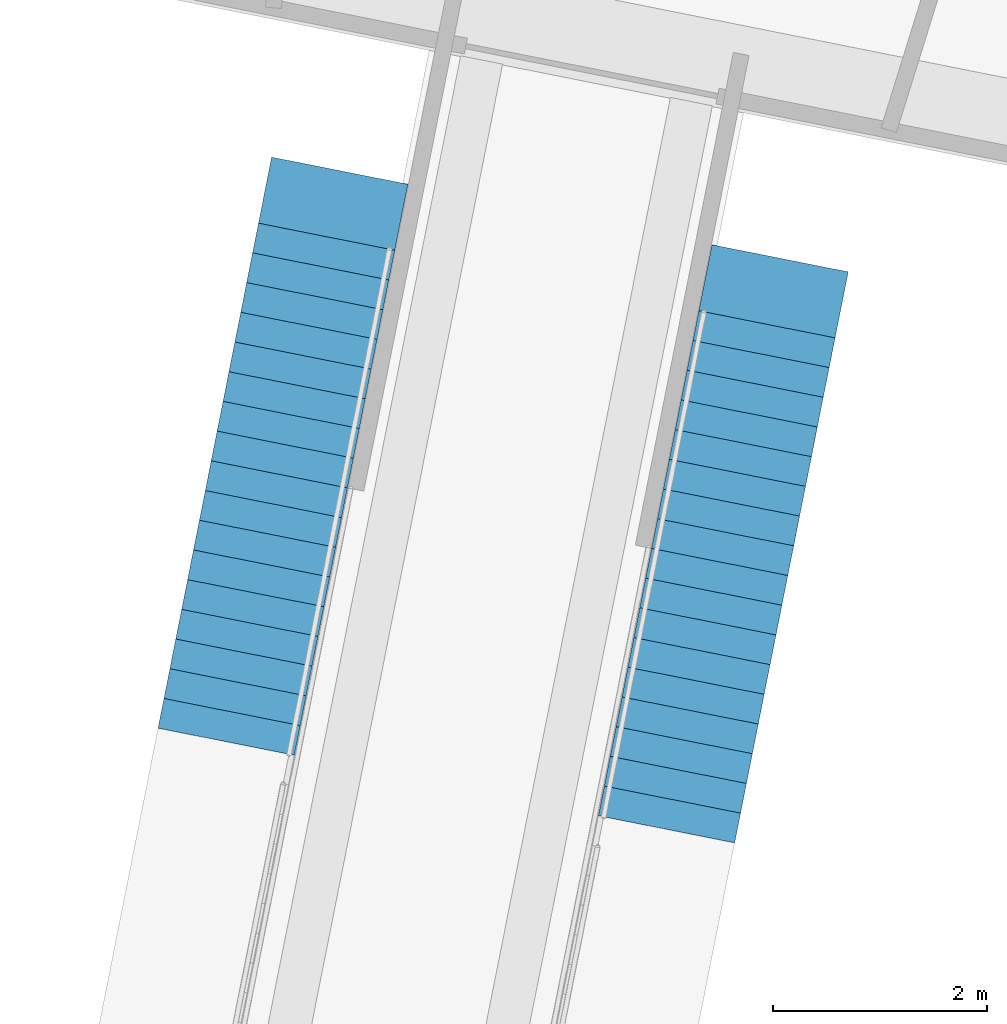
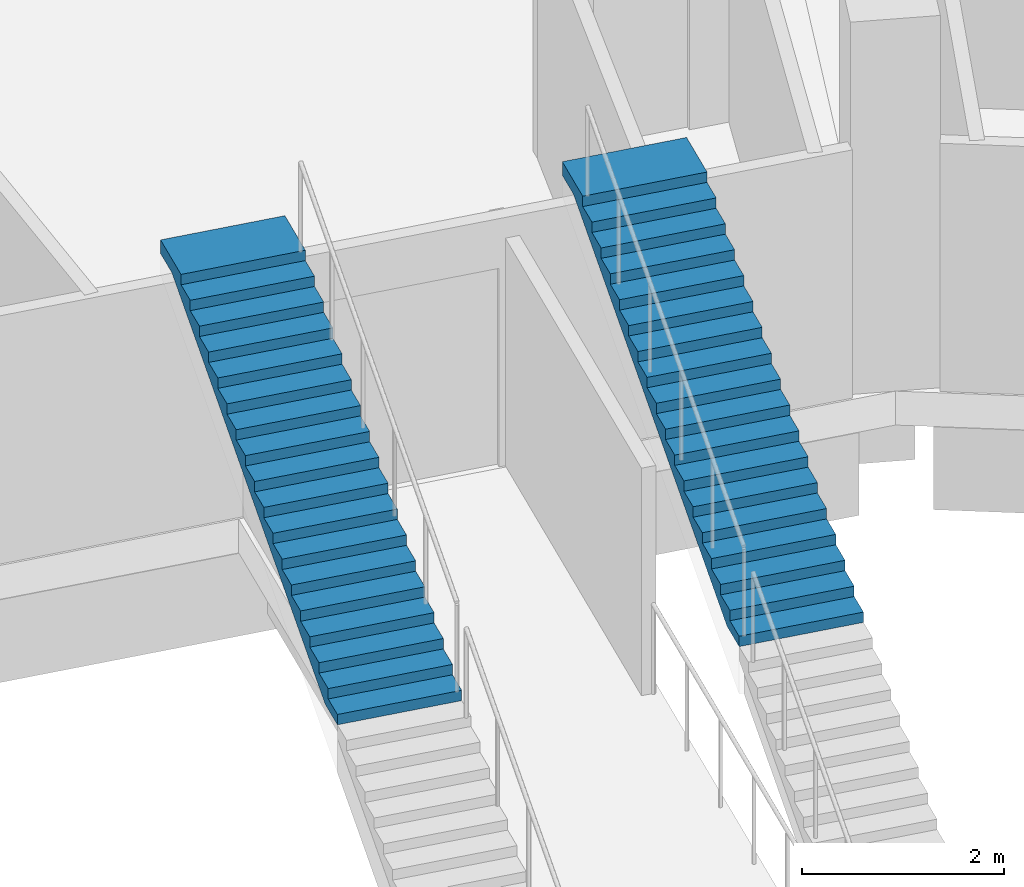
# One storey, part 127 of 175: 2 stair flights, 2 elements without a shape of their own.
"""IFC4 building model written with IfcOpenShell, lengths in metres."""

from ifc_helpers import new_model, si_unit, direction, frame, origin, place, context, subcontext, project, spatial, faceted_brep, material, type_object, element, aggregate, save


model = new_model("IFC4")

# Units and contexts
model_context = context("Model", 3, precision=1e-05, world=origin(), true_north=direction((0.0, 1.0)))
body_context = subcontext(model_context, "Body", "Model", "MODEL_VIEW")
ifc_project = project(units=[si_unit("LENGTHUNIT", "METRE"), si_unit("AREAUNIT", "SQUARE_METRE"), si_unit("VOLUMEUNIT", "CUBIC_METRE"), si_unit("PLANEANGLEUNIT", "RADIAN"), si_unit("MASSUNIT", "GRAM", prefix="KILO")], contexts=[model_context])

# Site, building, storey
site_placement = place(None, origin())
site = spatial("IfcSite", under=ifc_project, at=site_placement, CompositionType="ELEMENT")
building_placement = place(site_placement, origin())
building = spatial("IfcBuilding", under=site, at=building_placement, Name="Ogive Plaza Stadium", CompositionType="ELEMENT")
storey_placement = place(building_placement, origin())
storey = spatial("IfcBuildingStorey", under=building, at=storey_placement, Name="L00", CompositionType="ELEMENT", Elevation=0.0)

# Stair, stair flight
ifc_material_1 = material(Name="Concrete C40/50", Category="concrete")
stair_type = type_object("IfcStairType", Name="Aisle stair", PredefinedType="STRAIGHT_RUN_STAIR", material=ifc_material_1)
stair_1_placement = place(storey_placement, origin())
stair_1 = element("IfcStair", 1, at=stair_1_placement, inside=storey, type_object=stair_type, Name="Aisle stair SA37L", PredefinedType="STRAIGHT_RUN_STAIR")
ifc_material_2 = material(Name="Concrete C40/50", Category="concrete")
stair_flight_type = type_object("IfcStairFlightType", Name="Aisle stair flight", PredefinedType="STRAIGHT", material=ifc_material_2)
stair_flight_1_placement = place(storey_placement, frame((40.01025390625, 71.951171875, 2.25), z_axis=(0.0, 0.0, 1.0), x_axis=(0.195090322016, 0.980785280403, 0.0)))
stair_flight_1 = element("IfcStairFlight", 2, at=stair_flight_1_placement, type_object=stair_flight_type, Name="SA37L flight 2", NumberOfRisers=18, NumberOfTreads=17, PredefinedType="STRAIGHT", RiserHeight=0.125, TreadLength=0.283333333, context=body_context, shape_type="Brep", body=[
    faceted_brep([(0.371337890625, -0.64990234375, 0.0), (5.10009765625, -0.64990234375, 2.086181640625), (5.446533203125, -0.64990234375, 2.086181640625), (5.446533203125, -0.64990234375, 2.25), (4.816650390625, -0.64990234375, 2.25), (4.816650390625, -0.64990234375, 2.125), (4.533447265625, -0.64990234375, 2.125), (4.533447265625, -0.64990234375, 2.0), (4.25, -0.64990234375, 2.0), (4.25, -0.64990234375, 1.875), (3.966552734375, -0.64990234375, 1.875), (3.966552734375, -0.64990234375, 1.75), (3.683349609375, -0.64990234375, 1.75), (3.683349609375, -0.64990234375, 1.625), (3.39990234375, -0.64990234375, 1.625), (3.39990234375, -0.64990234375, 1.5), (3.11669921875, -0.64990234375, 1.5), (3.11669921875, -0.64990234375, 1.375), (2.833251953125, -0.64990234375, 1.375), (2.833251953125, -0.64990234375, 1.25), (2.550048828125, -0.64990234375, 1.25), (2.550048828125, -0.64990234375, 1.125), (2.2666015625, -0.64990234375, 1.125), (2.2666015625, -0.64990234375, 1.0), (1.9833984375, -0.64990234375, 1.0), (1.9833984375, -0.64990234375, 0.875), (1.699951171875, -0.64990234375, 0.875), (1.699951171875, -0.64990234375, 0.75), (1.416748046875, -0.64990234375, 0.75), (1.416748046875, -0.64990234375, 0.625), (1.13330078125, -0.64990234375, 0.625), (1.13330078125, -0.64990234375, 0.5), (0.85009765625, -0.64990234375, 0.5), (0.85009765625, -0.64990234375, 0.375), (0.566650390625, -0.64990234375, 0.375), (0.566650390625, -0.64990234375, 0.25), (0.283447265625, -0.64990234375, 0.25), (0.283447265625, -0.64990234375, 0.125), (0.0, -0.64990234375, 0.125), (0.0, -0.64990234375, 0.0), (0.0, 0.64990234375, 0.0), (0.0, 0.64990234375, 0.125), (0.283447265625, 0.64990234375, 0.125), (0.283447265625, 0.64990234375, 0.25), (0.566650390625, 0.64990234375, 0.25), (0.566650390625, 0.64990234375, 0.375), (0.85009765625, 0.64990234375, 0.375), (0.85009765625, 0.64990234375, 0.5), (1.13330078125, 0.64990234375, 0.5), (1.13330078125, 0.64990234375, 0.625), (1.416748046875, 0.64990234375, 0.625), (1.416748046875, 0.64990234375, 0.75), (1.699951171875, 0.64990234375, 0.75), (1.699951171875, 0.64990234375, 0.875), (1.9833984375, 0.64990234375, 0.875), (1.9833984375, 0.64990234375, 1.0), (2.2666015625, 0.64990234375, 1.0), (2.2666015625, 0.64990234375, 1.125), (2.550048828125, 0.64990234375, 1.125), (2.550048828125, 0.64990234375, 1.25), (2.833251953125, 0.64990234375, 1.25), (2.833251953125, 0.64990234375, 1.375), (3.11669921875, 0.64990234375, 1.375), (3.11669921875, 0.64990234375, 1.5), (3.39990234375, 0.64990234375, 1.5), (3.39990234375, 0.64990234375, 1.625), (3.683349609375, 0.64990234375, 1.625), (3.683349609375, 0.64990234375, 1.75), (3.966552734375, 0.64990234375, 1.75), (3.966552734375, 0.64990234375, 1.875), (4.25, 0.64990234375, 1.875), (4.25, 0.64990234375, 2.0), (4.533447265625, 0.64990234375, 2.0), (4.533447265625, 0.64990234375, 2.125), (4.816650390625, 0.64990234375, 2.125), (4.816650390625, 0.64990234375, 2.25), (5.446533203125, 0.64990234375, 2.25), (5.446533203125, 0.64990234375, 2.086181640625), (5.10009765625, 0.64990234375, 2.086181640625), (0.371337890625, 0.64990234375, 0.0), (0.371337890625, -0.324951171875, 0.0), (5.10009765625, -0.324951171875, 2.086181640625), (0.371337890625, 0.0, 0.0), (5.10009765625, 0.0, 2.086181640625), (0.371337890625, 0.324951171875, 0.0), (5.10009765625, 0.324951171875, 2.086181640625), (5.446533203125, -0.324951171875, 2.086181640625), (5.446533203125, 0.0, 2.086181640625), (5.446533203125, 0.324951171875, 2.086181640625), (5.446533203125, -0.324951171875, 2.25), (5.446533203125, 0.0, 2.25), (5.446533203125, 0.324951171875, 2.25), (4.816650390625, -0.324951171875, 2.25), (4.816650390625, 0.0, 2.25), (4.816650390625, 0.324951171875, 2.25), (4.816650390625, -0.324951171875, 2.125), (4.816650390625, 0.0, 2.125), (4.816650390625, 0.324951171875, 2.125), (4.533447265625, -0.324951171875, 2.125), (4.533447265625, 0.0, 2.125), (4.533447265625, 0.324951171875, 2.125), (4.533447265625, -0.324951171875, 2.0), (4.533447265625, 0.0, 2.0), (4.533447265625, 0.324951171875, 2.0), (4.25, -0.324951171875, 2.0), (4.25, 0.0, 2.0), (4.25, 0.324951171875, 2.0), (4.25, -0.324951171875, 1.875), (4.25, 0.0, 1.875), (4.25, 0.324951171875, 1.875), (3.966552734375, -0.324951171875, 1.875), (3.966552734375, 0.0, 1.875), (3.966552734375, 0.324951171875, 1.875), (3.966552734375, -0.324951171875, 1.75), (3.966552734375, 0.0, 1.75), (3.966552734375, 0.324951171875, 1.75), (3.683349609375, -0.324951171875, 1.75), (3.683349609375, 0.0, 1.75), (3.683349609375, 0.324951171875, 1.75), (3.683349609375, -0.324951171875, 1.625), (3.683349609375, 0.0, 1.625), (3.683349609375, 0.324951171875, 1.625), (3.39990234375, -0.324951171875, 1.625), (3.39990234375, 0.0, 1.625), (3.39990234375, 0.324951171875, 1.625), (3.39990234375, -0.324951171875, 1.5), (3.39990234375, 0.0, 1.5), (3.39990234375, 0.324951171875, 1.5), (3.11669921875, -0.324951171875, 1.5), (3.11669921875, 0.0, 1.5), (3.11669921875, 0.324951171875, 1.5), (3.11669921875, -0.324951171875, 1.375), (3.11669921875, 0.0, 1.375), (3.11669921875, 0.324951171875, 1.375), (2.833251953125, -0.324951171875, 1.375), (2.833251953125, 0.0, 1.375), (2.833251953125, 0.324951171875, 1.375), (2.833251953125, -0.324951171875, 1.25), (2.833251953125, 0.0, 1.25), (2.833251953125, 0.324951171875, 1.25), (2.550048828125, -0.324951171875, 1.25), (2.550048828125, 0.0, 1.25), (2.550048828125, 0.324951171875, 1.25), (2.550048828125, -0.324951171875, 1.125), (2.550048828125, 0.0, 1.125), (2.550048828125, 0.324951171875, 1.125), (2.2666015625, -0.324951171875, 1.125), (2.2666015625, 0.0, 1.125), (2.2666015625, 0.324951171875, 1.125), (2.2666015625, -0.324951171875, 1.0), (2.2666015625, 0.0, 1.0), (2.2666015625, 0.324951171875, 1.0), (1.9833984375, -0.324951171875, 1.0), (1.9833984375, 0.0, 1.0), (1.9833984375, 0.324951171875, 1.0), (1.9833984375, -0.324951171875, 0.875), (1.9833984375, 0.0, 0.875), (1.9833984375, 0.324951171875, 0.875), (1.699951171875, -0.324951171875, 0.875), (1.699951171875, 0.0, 0.875), (1.699951171875, 0.324951171875, 0.875), (1.699951171875, -0.324951171875, 0.75), (1.699951171875, 0.0, 0.75), (1.699951171875, 0.324951171875, 0.75), (1.416748046875, -0.324951171875, 0.75), (1.416748046875, 0.0, 0.75), (1.416748046875, 0.324951171875, 0.75), (1.416748046875, -0.324951171875, 0.625), (1.416748046875, 0.0, 0.625), (1.416748046875, 0.324951171875, 0.625), (1.13330078125, -0.324951171875, 0.625), (1.13330078125, 0.0, 0.625), (1.13330078125, 0.324951171875, 0.625), (1.13330078125, -0.324951171875, 0.5), (1.13330078125, 0.0, 0.5), (1.13330078125, 0.324951171875, 0.5), (0.85009765625, -0.324951171875, 0.5), (0.85009765625, 0.0, 0.5), (0.85009765625, 0.324951171875, 0.5), (0.85009765625, -0.324951171875, 0.375), (0.85009765625, 0.0, 0.375), (0.85009765625, 0.324951171875, 0.375), (0.566650390625, -0.324951171875, 0.375), (0.566650390625, 0.0, 0.375), (0.566650390625, 0.324951171875, 0.375), (0.566650390625, -0.324951171875, 0.25), (0.566650390625, 0.0, 0.25), (0.566650390625, 0.324951171875, 0.25), (0.283447265625, -0.324951171875, 0.25), (0.283447265625, 0.0, 0.25), (0.283447265625, 0.324951171875, 0.25), (0.283447265625, -0.324951171875, 0.125), (0.283447265625, 0.0, 0.125), (0.283447265625, 0.324951171875, 0.125), (0.0, -0.324951171875, 0.125), (0.0, 0.0, 0.125), (0.0, 0.324951171875, 0.125), (0.0, -0.324951171875, 0.0), (0.0, 0.0, 0.0), (0.0, 0.324951171875, 0.0)], [[[0, 1, 2, 3, 4, 5, 6, 7, 8, 9, 10, 11, 12, 13, 14, 15, 16, 17, 18, 19, 20, 21, 22, 23, 24, 25, 26, 27, 28, 29, 30, 31, 32, 33, 34, 35, 36, 37, 38, 39]], [[40, 41, 42, 43, 44, 45, 46, 47, 48, 49, 50, 51, 52, 53, 54, 55, 56, 57, 58, 59, 60, 61, 62, 63, 64, 65, 66, 67, 68, 69, 70, 71, 72, 73, 74, 75, 76, 77, 78, 79]], [[0, 80, 81, 1]], [[80, 82, 83, 81]], [[82, 84, 85, 83]], [[84, 79, 78, 85]], [[1, 81, 86, 2]], [[81, 83, 87, 86]], [[83, 85, 88, 87]], [[85, 78, 77, 88]], [[2, 86, 89, 3]], [[86, 87, 90, 89]], [[87, 88, 91, 90]], [[88, 77, 76, 91]], [[3, 89, 92, 4]], [[89, 90, 93, 92]], [[90, 91, 94, 93]], [[91, 76, 75, 94]], [[4, 92, 95, 5]], [[92, 93, 96, 95]], [[93, 94, 97, 96]], [[94, 75, 74, 97]], [[5, 95, 98, 6]], [[95, 96, 99, 98]], [[96, 97, 100, 99]], [[97, 74, 73, 100]], [[6, 98, 101, 7]], [[98, 99, 102, 101]], [[99, 100, 103, 102]], [[100, 73, 72, 103]], [[7, 101, 104, 8]], [[101, 102, 105, 104]], [[102, 103, 106, 105]], [[103, 72, 71, 106]], [[8, 104, 107, 9]], [[104, 105, 108, 107]], [[105, 106, 109, 108]], [[106, 71, 70, 109]], [[9, 107, 110, 10]], [[107, 108, 111, 110]], [[108, 109, 112, 111]], [[109, 70, 69, 112]], [[10, 110, 113, 11]], [[110, 111, 114, 113]], [[111, 112, 115, 114]], [[112, 69, 68, 115]], [[11, 113, 116, 12]], [[113, 114, 117, 116]], [[114, 115, 118, 117]], [[115, 68, 67, 118]], [[12, 116, 119, 13]], [[116, 117, 120, 119]], [[117, 118, 121, 120]], [[118, 67, 66, 121]], [[13, 119, 122, 14]], [[119, 120, 123, 122]], [[120, 121, 124, 123]], [[121, 66, 65, 124]], [[14, 122, 125, 15]], [[122, 123, 126, 125]], [[123, 124, 127, 126]], [[124, 65, 64, 127]], [[15, 125, 128, 16]], [[125, 126, 129, 128]], [[126, 127, 130, 129]], [[127, 64, 63, 130]], [[16, 128, 131, 17]], [[128, 129, 132, 131]], [[129, 130, 133, 132]], [[130, 63, 62, 133]], [[17, 131, 134, 18]], [[131, 132, 135, 134]], [[132, 133, 136, 135]], [[133, 62, 61, 136]], [[18, 134, 137, 19]], [[134, 135, 138, 137]], [[135, 136, 139, 138]], [[136, 61, 60, 139]], [[19, 137, 140, 20]], [[137, 138, 141, 140]], [[138, 139, 142, 141]], [[139, 60, 59, 142]], [[20, 140, 143, 21]], [[140, 141, 144, 143]], [[141, 142, 145, 144]], [[142, 59, 58, 145]], [[21, 143, 146, 22]], [[143, 144, 147, 146]], [[144, 145, 148, 147]], [[145, 58, 57, 148]], [[22, 146, 149, 23]], [[146, 147, 150, 149]], [[147, 148, 151, 150]], [[148, 57, 56, 151]], [[23, 149, 152, 24]], [[149, 150, 153, 152]], [[150, 151, 154, 153]], [[151, 56, 55, 154]], [[24, 152, 155, 25]], [[152, 153, 156, 155]], [[153, 154, 157, 156]], [[154, 55, 54, 157]], [[25, 155, 158, 26]], [[155, 156, 159, 158]], [[156, 157, 160, 159]], [[157, 54, 53, 160]], [[26, 158, 161, 27]], [[158, 159, 162, 161]], [[159, 160, 163, 162]], [[160, 53, 52, 163]], [[27, 161, 164, 28]], [[161, 162, 165, 164]], [[162, 163, 166, 165]], [[163, 52, 51, 166]], [[28, 164, 167, 29]], [[164, 165, 168, 167]], [[165, 166, 169, 168]], [[166, 51, 50, 169]], [[29, 167, 170, 30]], [[167, 168, 171, 170]], [[168, 169, 172, 171]], [[169, 50, 49, 172]], [[30, 170, 173, 31]], [[170, 171, 174, 173]], [[171, 172, 175, 174]], [[172, 49, 48, 175]], [[31, 173, 176, 32]], [[173, 174, 177, 176]], [[174, 175, 178, 177]], [[175, 48, 47, 178]], [[32, 176, 179, 33]], [[176, 177, 180, 179]], [[177, 178, 181, 180]], [[178, 47, 46, 181]], [[33, 179, 182, 34]], [[179, 180, 183, 182]], [[180, 181, 184, 183]], [[181, 46, 45, 184]], [[34, 182, 185, 35]], [[182, 183, 186, 185]], [[183, 184, 187, 186]], [[184, 45, 44, 187]], [[35, 185, 188, 36]], [[185, 186, 189, 188]], [[186, 187, 190, 189]], [[187, 44, 43, 190]], [[36, 188, 191, 37]], [[188, 189, 192, 191]], [[189, 190, 193, 192]], [[190, 43, 42, 193]], [[37, 191, 194, 38]], [[191, 192, 195, 194]], [[192, 193, 196, 195]], [[193, 42, 41, 196]], [[38, 194, 197, 39]], [[194, 195, 198, 197]], [[195, 196, 199, 198]], [[196, 41, 40, 199]], [[39, 197, 80, 0]], [[197, 198, 82, 80]], [[198, 199, 84, 82]], [[199, 40, 79, 84]]]),
])
aggregate(stair_1, [stair_flight_1])

stair_2_placement = place(storey_placement, origin())
stair_2 = element("IfcStair", 3, at=stair_2_placement, inside=storey, type_object=stair_type, Name="Aisle stair SA37R", PredefinedType="STRAIGHT_RUN_STAIR")
stair_flight_2_placement = place(storey_placement, frame((35.890869140625, 72.7705078125, 2.25), z_axis=(0.0, 0.0, 1.0), x_axis=(0.195090322016, 0.980785280403, 0.0)))
stair_flight_2 = element("IfcStairFlight", 4, at=stair_flight_2_placement, type_object=stair_flight_type, Name="SA37R flight 2", NumberOfRisers=18, NumberOfTreads=17, PredefinedType="STRAIGHT", RiserHeight=0.125, TreadLength=0.283333333, context=body_context, shape_type="Brep", body=[
    faceted_brep([(0.371337890625, -0.64990234375, 0.0), (5.10009765625, -0.64990234375, 2.086181640625), (5.446533203125, -0.64990234375, 2.086181640625), (5.446533203125, -0.64990234375, 2.25), (4.816650390625, -0.64990234375, 2.25), (4.816650390625, -0.64990234375, 2.125), (4.533447265625, -0.64990234375, 2.125), (4.533447265625, -0.64990234375, 2.0), (4.25, -0.64990234375, 2.0), (4.25, -0.64990234375, 1.875), (3.966552734375, -0.64990234375, 1.875), (3.966552734375, -0.64990234375, 1.75), (3.683349609375, -0.64990234375, 1.75), (3.683349609375, -0.64990234375, 1.625), (3.39990234375, -0.64990234375, 1.625), (3.39990234375, -0.64990234375, 1.5), (3.11669921875, -0.64990234375, 1.5), (3.11669921875, -0.64990234375, 1.375), (2.833251953125, -0.64990234375, 1.375), (2.833251953125, -0.64990234375, 1.25), (2.550048828125, -0.64990234375, 1.25), (2.550048828125, -0.64990234375, 1.125), (2.2666015625, -0.64990234375, 1.125), (2.2666015625, -0.64990234375, 1.0), (1.9833984375, -0.64990234375, 1.0), (1.9833984375, -0.64990234375, 0.875), (1.699951171875, -0.64990234375, 0.875), (1.699951171875, -0.64990234375, 0.75), (1.416748046875, -0.64990234375, 0.75), (1.416748046875, -0.64990234375, 0.625), (1.13330078125, -0.64990234375, 0.625), (1.13330078125, -0.64990234375, 0.5), (0.85009765625, -0.64990234375, 0.5), (0.85009765625, -0.64990234375, 0.375), (0.566650390625, -0.64990234375, 0.375), (0.566650390625, -0.64990234375, 0.25), (0.283447265625, -0.64990234375, 0.25), (0.283447265625, -0.64990234375, 0.125), (0.0, -0.64990234375, 0.125), (0.0, -0.64990234375, 0.0), (0.0, 0.64990234375, 0.0), (0.0, 0.64990234375, 0.125), (0.283447265625, 0.64990234375, 0.125), (0.283447265625, 0.64990234375, 0.25), (0.566650390625, 0.64990234375, 0.25), (0.566650390625, 0.64990234375, 0.375), (0.85009765625, 0.64990234375, 0.375), (0.85009765625, 0.64990234375, 0.5), (1.13330078125, 0.64990234375, 0.5), (1.13330078125, 0.64990234375, 0.625), (1.416748046875, 0.64990234375, 0.625), (1.416748046875, 0.64990234375, 0.75), (1.699951171875, 0.64990234375, 0.75), (1.699951171875, 0.64990234375, 0.875), (1.9833984375, 0.64990234375, 0.875), (1.9833984375, 0.64990234375, 1.0), (2.2666015625, 0.64990234375, 1.0), (2.2666015625, 0.64990234375, 1.125), (2.550048828125, 0.64990234375, 1.125), (2.550048828125, 0.64990234375, 1.25), (2.833251953125, 0.64990234375, 1.25), (2.833251953125, 0.64990234375, 1.375), (3.11669921875, 0.64990234375, 1.375), (3.11669921875, 0.64990234375, 1.5), (3.39990234375, 0.64990234375, 1.5), (3.39990234375, 0.64990234375, 1.625), (3.683349609375, 0.64990234375, 1.625), (3.683349609375, 0.64990234375, 1.75), (3.966552734375, 0.64990234375, 1.75), (3.966552734375, 0.64990234375, 1.875), (4.25, 0.64990234375, 1.875), (4.25, 0.64990234375, 2.0), (4.533447265625, 0.64990234375, 2.0), (4.533447265625, 0.64990234375, 2.125), (4.816650390625, 0.64990234375, 2.125), (4.816650390625, 0.64990234375, 2.25), (5.446533203125, 0.64990234375, 2.25), (5.446533203125, 0.64990234375, 2.086181640625), (5.10009765625, 0.64990234375, 2.086181640625), (0.371337890625, 0.64990234375, 0.0), (0.371337890625, -0.324951171875, 0.0), (5.10009765625, -0.324951171875, 2.086181640625), (0.371337890625, 0.0, 0.0), (5.10009765625, 0.0, 2.086181640625), (0.371337890625, 0.324951171875, 0.0), (5.10009765625, 0.324951171875, 2.086181640625), (5.446533203125, -0.324951171875, 2.086181640625), (5.446533203125, 0.0, 2.086181640625), (5.446533203125, 0.324951171875, 2.086181640625), (5.446533203125, -0.324951171875, 2.25), (5.446533203125, 0.0, 2.25), (5.446533203125, 0.324951171875, 2.25), (4.816650390625, -0.324951171875, 2.25), (4.816650390625, 0.0, 2.25), (4.816650390625, 0.324951171875, 2.25), (4.816650390625, -0.324951171875, 2.125), (4.816650390625, 0.0, 2.125), (4.816650390625, 0.324951171875, 2.125), (4.533447265625, -0.324951171875, 2.125), (4.533447265625, 0.0, 2.125), (4.533447265625, 0.324951171875, 2.125), (4.533447265625, -0.324951171875, 2.0), (4.533447265625, 0.0, 2.0), (4.533447265625, 0.324951171875, 2.0), (4.25, -0.324951171875, 2.0), (4.25, 0.0, 2.0), (4.25, 0.324951171875, 2.0), (4.25, -0.324951171875, 1.875), (4.25, 0.0, 1.875), (4.25, 0.324951171875, 1.875), (3.966552734375, -0.324951171875, 1.875), (3.966552734375, 0.0, 1.875), (3.966552734375, 0.324951171875, 1.875), (3.966552734375, -0.324951171875, 1.75), (3.966552734375, 0.0, 1.75), (3.966552734375, 0.324951171875, 1.75), (3.683349609375, -0.324951171875, 1.75), (3.683349609375, 0.0, 1.75), (3.683349609375, 0.324951171875, 1.75), (3.683349609375, -0.324951171875, 1.625), (3.683349609375, 0.0, 1.625), (3.683349609375, 0.324951171875, 1.625), (3.39990234375, -0.324951171875, 1.625), (3.39990234375, 0.0, 1.625), (3.39990234375, 0.324951171875, 1.625), (3.39990234375, -0.324951171875, 1.5), (3.39990234375, 0.0, 1.5), (3.39990234375, 0.324951171875, 1.5), (3.11669921875, -0.324951171875, 1.5), (3.11669921875, 0.0, 1.5), (3.11669921875, 0.324951171875, 1.5), (3.11669921875, -0.324951171875, 1.375), (3.11669921875, 0.0, 1.375), (3.11669921875, 0.324951171875, 1.375), (2.833251953125, -0.324951171875, 1.375), (2.833251953125, 0.0, 1.375), (2.833251953125, 0.324951171875, 1.375), (2.833251953125, -0.324951171875, 1.25), (2.833251953125, 0.0, 1.25), (2.833251953125, 0.324951171875, 1.25), (2.550048828125, -0.324951171875, 1.25), (2.550048828125, 0.0, 1.25), (2.550048828125, 0.324951171875, 1.25), (2.550048828125, -0.324951171875, 1.125), (2.550048828125, 0.0, 1.125), (2.550048828125, 0.324951171875, 1.125), (2.2666015625, -0.324951171875, 1.125), (2.2666015625, 0.0, 1.125), (2.2666015625, 0.324951171875, 1.125), (2.2666015625, -0.324951171875, 1.0), (2.2666015625, 0.0, 1.0), (2.2666015625, 0.324951171875, 1.0), (1.9833984375, -0.324951171875, 1.0), (1.9833984375, 0.0, 1.0), (1.9833984375, 0.324951171875, 1.0), (1.9833984375, -0.324951171875, 0.875), (1.9833984375, 0.0, 0.875), (1.9833984375, 0.324951171875, 0.875), (1.699951171875, -0.324951171875, 0.875), (1.699951171875, 0.0, 0.875), (1.699951171875, 0.324951171875, 0.875), (1.699951171875, -0.324951171875, 0.75), (1.699951171875, 0.0, 0.75), (1.699951171875, 0.324951171875, 0.75), (1.416748046875, -0.324951171875, 0.75), (1.416748046875, 0.0, 0.75), (1.416748046875, 0.324951171875, 0.75), (1.416748046875, -0.324951171875, 0.625), (1.416748046875, 0.0, 0.625), (1.416748046875, 0.324951171875, 0.625), (1.13330078125, -0.324951171875, 0.625), (1.13330078125, 0.0, 0.625), (1.13330078125, 0.324951171875, 0.625), (1.13330078125, -0.324951171875, 0.5), (1.13330078125, 0.0, 0.5), (1.13330078125, 0.324951171875, 0.5), (0.85009765625, -0.324951171875, 0.5), (0.85009765625, 0.0, 0.5), (0.85009765625, 0.324951171875, 0.5), (0.85009765625, -0.324951171875, 0.375), (0.85009765625, 0.0, 0.375), (0.85009765625, 0.324951171875, 0.375), (0.566650390625, -0.324951171875, 0.375), (0.566650390625, 0.0, 0.375), (0.566650390625, 0.324951171875, 0.375), (0.566650390625, -0.324951171875, 0.25), (0.566650390625, 0.0, 0.25), (0.566650390625, 0.324951171875, 0.25), (0.283447265625, -0.324951171875, 0.25), (0.283447265625, 0.0, 0.25), (0.283447265625, 0.324951171875, 0.25), (0.283447265625, -0.324951171875, 0.125), (0.283447265625, 0.0, 0.125), (0.283447265625, 0.324951171875, 0.125), (0.0, -0.324951171875, 0.125), (0.0, 0.0, 0.125), (0.0, 0.324951171875, 0.125), (0.0, -0.324951171875, 0.0), (0.0, 0.0, 0.0), (0.0, 0.324951171875, 0.0)], [[[0, 1, 2, 3, 4, 5, 6, 7, 8, 9, 10, 11, 12, 13, 14, 15, 16, 17, 18, 19, 20, 21, 22, 23, 24, 25, 26, 27, 28, 29, 30, 31, 32, 33, 34, 35, 36, 37, 38, 39]], [[40, 41, 42, 43, 44, 45, 46, 47, 48, 49, 50, 51, 52, 53, 54, 55, 56, 57, 58, 59, 60, 61, 62, 63, 64, 65, 66, 67, 68, 69, 70, 71, 72, 73, 74, 75, 76, 77, 78, 79]], [[0, 80, 81, 1]], [[80, 82, 83, 81]], [[82, 84, 85, 83]], [[84, 79, 78, 85]], [[1, 81, 86, 2]], [[81, 83, 87, 86]], [[83, 85, 88, 87]], [[85, 78, 77, 88]], [[2, 86, 89, 3]], [[86, 87, 90, 89]], [[87, 88, 91, 90]], [[88, 77, 76, 91]], [[3, 89, 92, 4]], [[89, 90, 93, 92]], [[90, 91, 94, 93]], [[91, 76, 75, 94]], [[4, 92, 95, 5]], [[92, 93, 96, 95]], [[93, 94, 97, 96]], [[94, 75, 74, 97]], [[5, 95, 98, 6]], [[95, 96, 99, 98]], [[96, 97, 100, 99]], [[97, 74, 73, 100]], [[6, 98, 101, 7]], [[98, 99, 102, 101]], [[99, 100, 103, 102]], [[100, 73, 72, 103]], [[7, 101, 104, 8]], [[101, 102, 105, 104]], [[102, 103, 106, 105]], [[103, 72, 71, 106]], [[8, 104, 107, 9]], [[104, 105, 108, 107]], [[105, 106, 109, 108]], [[106, 71, 70, 109]], [[9, 107, 110, 10]], [[107, 108, 111, 110]], [[108, 109, 112, 111]], [[109, 70, 69, 112]], [[10, 110, 113, 11]], [[110, 111, 114, 113]], [[111, 112, 115, 114]], [[112, 69, 68, 115]], [[11, 113, 116, 12]], [[113, 114, 117, 116]], [[114, 115, 118, 117]], [[115, 68, 67, 118]], [[12, 116, 119, 13]], [[116, 117, 120, 119]], [[117, 118, 121, 120]], [[118, 67, 66, 121]], [[13, 119, 122, 14]], [[119, 120, 123, 122]], [[120, 121, 124, 123]], [[121, 66, 65, 124]], [[14, 122, 125, 15]], [[122, 123, 126, 125]], [[123, 124, 127, 126]], [[124, 65, 64, 127]], [[15, 125, 128, 16]], [[125, 126, 129, 128]], [[126, 127, 130, 129]], [[127, 64, 63, 130]], [[16, 128, 131, 17]], [[128, 129, 132, 131]], [[129, 130, 133, 132]], [[130, 63, 62, 133]], [[17, 131, 134, 18]], [[131, 132, 135, 134]], [[132, 133, 136, 135]], [[133, 62, 61, 136]], [[18, 134, 137, 19]], [[134, 135, 138, 137]], [[135, 136, 139, 138]], [[136, 61, 60, 139]], [[19, 137, 140, 20]], [[137, 138, 141, 140]], [[138, 139, 142, 141]], [[139, 60, 59, 142]], [[20, 140, 143, 21]], [[140, 141, 144, 143]], [[141, 142, 145, 144]], [[142, 59, 58, 145]], [[21, 143, 146, 22]], [[143, 144, 147, 146]], [[144, 145, 148, 147]], [[145, 58, 57, 148]], [[22, 146, 149, 23]], [[146, 147, 150, 149]], [[147, 148, 151, 150]], [[148, 57, 56, 151]], [[23, 149, 152, 24]], [[149, 150, 153, 152]], [[150, 151, 154, 153]], [[151, 56, 55, 154]], [[24, 152, 155, 25]], [[152, 153, 156, 155]], [[153, 154, 157, 156]], [[154, 55, 54, 157]], [[25, 155, 158, 26]], [[155, 156, 159, 158]], [[156, 157, 160, 159]], [[157, 54, 53, 160]], [[26, 158, 161, 27]], [[158, 159, 162, 161]], [[159, 160, 163, 162]], [[160, 53, 52, 163]], [[27, 161, 164, 28]], [[161, 162, 165, 164]], [[162, 163, 166, 165]], [[163, 52, 51, 166]], [[28, 164, 167, 29]], [[164, 165, 168, 167]], [[165, 166, 169, 168]], [[166, 51, 50, 169]], [[29, 167, 170, 30]], [[167, 168, 171, 170]], [[168, 169, 172, 171]], [[169, 50, 49, 172]], [[30, 170, 173, 31]], [[170, 171, 174, 173]], [[171, 172, 175, 174]], [[172, 49, 48, 175]], [[31, 173, 176, 32]], [[173, 174, 177, 176]], [[174, 175, 178, 177]], [[175, 48, 47, 178]], [[32, 176, 179, 33]], [[176, 177, 180, 179]], [[177, 178, 181, 180]], [[178, 47, 46, 181]], [[33, 179, 182, 34]], [[179, 180, 183, 182]], [[180, 181, 184, 183]], [[181, 46, 45, 184]], [[34, 182, 185, 35]], [[182, 183, 186, 185]], [[183, 184, 187, 186]], [[184, 45, 44, 187]], [[35, 185, 188, 36]], [[185, 186, 189, 188]], [[186, 187, 190, 189]], [[187, 44, 43, 190]], [[36, 188, 191, 37]], [[188, 189, 192, 191]], [[189, 190, 193, 192]], [[190, 43, 42, 193]], [[37, 191, 194, 38]], [[191, 192, 195, 194]], [[192, 193, 196, 195]], [[193, 42, 41, 196]], [[38, 194, 197, 39]], [[194, 195, 198, 197]], [[195, 196, 199, 198]], [[196, 41, 40, 199]], [[39, 197, 80, 0]], [[197, 198, 82, 80]], [[198, 199, 84, 82]], [[199, 40, 79, 84]]]),
])
aggregate(stair_2, [stair_flight_2])

save(model, "model.ifc")
